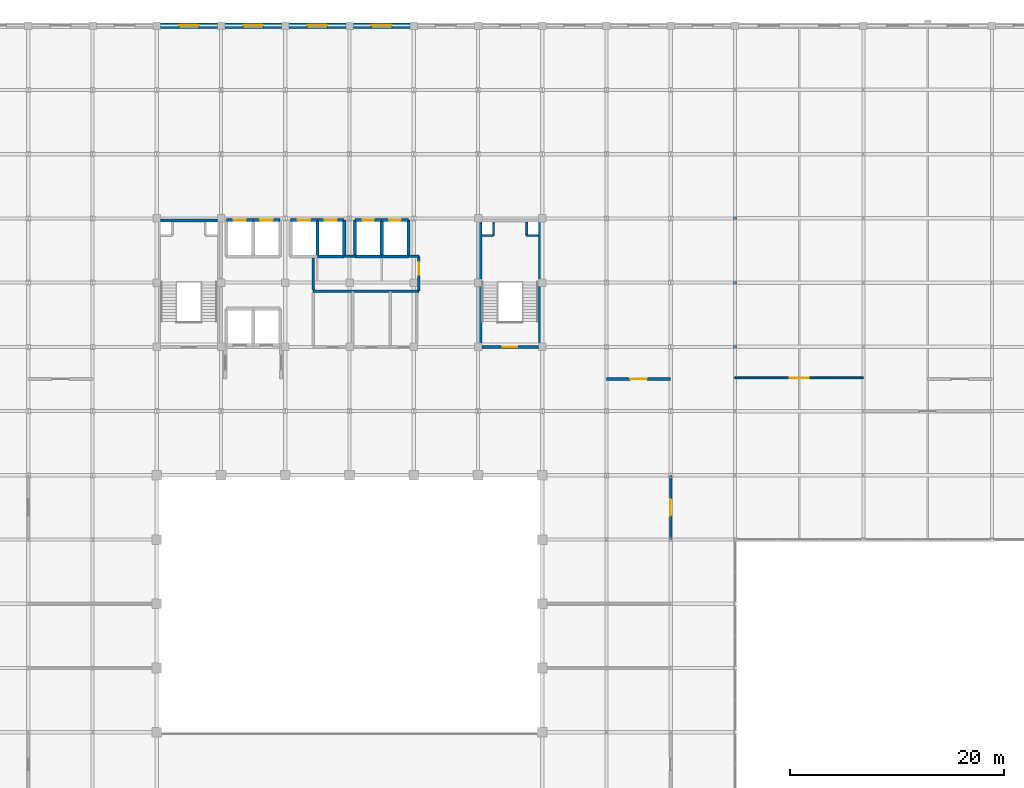
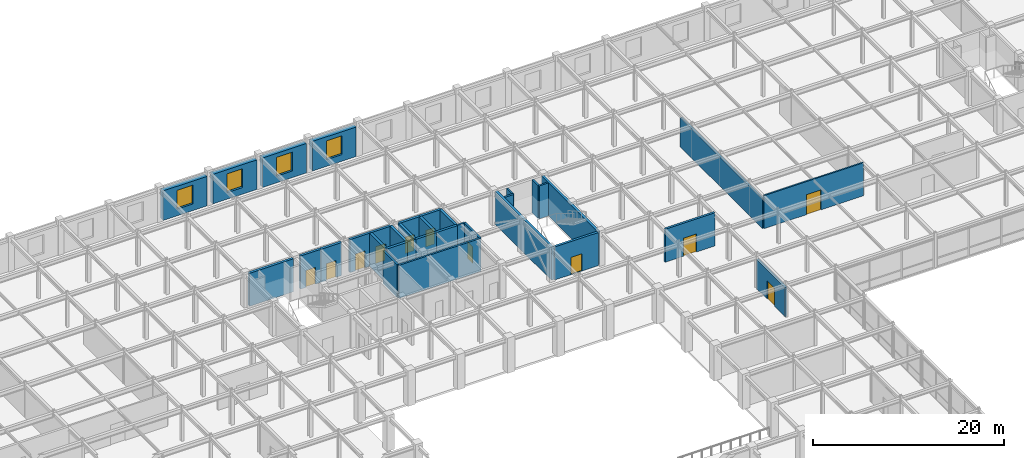
# One storey, part 102 of 108: 35 walls, 11 doors, 4 windows, 15 openings.
"""IFC4 building model written with IfcOpenShell, lengths in metres."""

from ifc_helpers import new_model, si_unit, direction, frame, frame_2d, origin, place, context, subcontext, project, spatial, rectangle, extrude, material, layer, layer_set, type_object, element, fill, save


model = new_model("IFC4")

# Units and contexts
model_context = context("Model", 3, precision=1e-05, world=origin(), true_north=direction((0.0, 1.0)))
body_context = subcontext(model_context, "Body", "Model", "MODEL_VIEW")
ifc_project = project(units=[si_unit("LENGTHUNIT", "METRE"), si_unit("AREAUNIT", "SQUARE_METRE"), si_unit("VOLUMEUNIT", "CUBIC_METRE"), si_unit("PLANEANGLEUNIT", "RADIAN"), si_unit("MASSUNIT", "GRAM", prefix="KILO")], contexts=[model_context])

# Site, building, storey
site_placement = place(None, origin())
site = spatial("IfcSite", under=ifc_project, at=site_placement, CompositionType="ELEMENT")
building_placement = place(site_placement, origin())
building = spatial("IfcBuilding", under=site, at=building_placement, Name="Zlatovratsky Civic Hall", CompositionType="ELEMENT")
storey_placement = place(building_placement, frame((0.0, 0.0, 12.0)))
storey = spatial("IfcBuildingStorey", under=building, at=storey_placement, Name="L03", CompositionType="ELEMENT", Elevation=12.0)

# Wall, opening, door
ifc_material_1 = material(Name="Acoustic ceramic blockwork", Category="masonry")
ifc_layer_1 = layer(ifc_material_1, 0.179931640625)
ifc_layer_set_1 = layer_set([ifc_layer_1], Name="Acoustic ceramic blockwork")
wall_type_1 = type_object("IfcWallType", Name="Wall_AcousticChamberPartition_180", PredefinedType="PARTITIONING", material=ifc_layer_set_1)
wall_1_placement = place(storey_placement, frame((120.0, 81.10009765625, 0.0), z_axis=(0.0, 0.0, 1.0), x_axis=(1.0, 0.0, 0.0)))
wall_1 = element("IfcWall", 1, at=wall_1_placement, inside=storey, type_object=wall_type_1, Name="WL-6178", PredefinedType="PARTITIONING", context=body_context, shape_type="SweptSolid", body=[
    extrude(rectangle(XDim=12.0, YDim=0.179931640625, at=frame_2d((6.0, 0.0))), origin(), (0.0, 0.0, 1.0), 4.219970703125),
])
opening_1_placement = place(wall_1_placement, frame((5.125, 0.0, 0.0)))
opening_1 = element("IfcOpeningElement", 2, at=opening_1_placement, cuts=wall_1, Name="Opening D-13", PredefinedType="OPENING", context=body_context, shape_type="SweptSolid", body=[
    extrude(rectangle(XDim=1.75, YDim=2.550048828125, at=frame_2d((0.875, 1.27490234375))), frame((0.0, 0.10498046875, 0.0), z_axis=(0.0, -1.0, 0.0), x_axis=(1.0, 0.0, 0.0)), (0.0, 0.0, 1.0), 0.209716796875),
])
ifc_material_2 = material(Name="Solid oak joinery in steel frame", Category="steel")
door_type_1 = type_object("IfcDoorType", Name="Door_CommitteeSuiteDouble_1750x2550", OperationType="DOUBLE_DOOR_SINGLE_SWING", PredefinedType="DOOR", material=ifc_material_2)
door_1_placement = place(opening_1_placement, origin())
door_1 = element("IfcDoor", 3, at=door_1_placement, inside=storey, type_object=door_type_1, Name="DR-5299", OperationType="DOUBLE_DOOR_SINGLE_SWING", OverallHeight=2.550048828125, OverallWidth=1.75, PredefinedType="DOOR", context=body_context, shape_type="SweptSolid", body=[
    extrude(rectangle(XDim=1.75, YDim=2.550048828125, at=frame_2d((0.875, 1.27490234375))), frame((0.0, 0.02490234375, 0.0), z_axis=(0.0, -1.0, 0.0), x_axis=(1.0, 0.0, 0.0)), (0.0, 0.0, 1.0), 0.050048828125),
])
fill(opening_1, door_1)

ifc_layer_2 = layer(ifc_material_1, 0.260009765625)
ifc_layer_set_2 = layer_set([ifc_layer_2], Name="Acoustic ceramic blockwork")
wall_type_2 = type_object("IfcWallType", Name="Wall_ArchiveCompartment_260", PredefinedType="PARTITIONING", material=ifc_layer_set_2)
wall_2_placement = place(storey_placement, frame((108.0, 81.0, 0.0), z_axis=(0.0, 0.0, 1.0), x_axis=(1.0, 0.0, 0.0)))
wall_2 = element("IfcWall", 4, at=wall_2_placement, inside=storey, type_object=wall_type_2, Name="WL-6185", PredefinedType="PARTITIONING", context=body_context, shape_type="SweptSolid", body=[
    extrude(rectangle(XDim=6.0, YDim=0.260009765625, at=frame_2d((3.0, 0.0))), origin(), (0.0, 0.0, 1.0), 4.219970703125),
])
opening_2_placement = place(wall_2_placement, frame((2.22509765625, 0.0, 0.0)))
opening_2 = element("IfcOpeningElement", 5, at=opening_2_placement, cuts=wall_2, Name="Opening D-15", PredefinedType="OPENING", context=body_context, shape_type="SweptSolid", body=[
    extrude(rectangle(XDim=1.550048828125, YDim=2.300048828125, at=frame_2d((0.77490234375, 1.14990234375))), frame((0.0, 0.14501953125, 0.0), z_axis=(0.0, -1.0, 0.0), x_axis=(1.0, 0.0, 0.0)), (0.0, 0.0, 1.0), 0.289794921875),
])
ifc_material_3 = material(Name="Insulated painted fire-rated steel leaf", Category="steel")
door_type_2 = type_object("IfcDoorType", Name="Door_CompactArchiveFire_1550x2300", OperationType="DOUBLE_DOOR_SINGLE_SWING", PredefinedType="DOOR", material=ifc_material_3)
door_2_placement = place(opening_2_placement, origin())
door_2 = element("IfcDoor", 6, at=door_2_placement, inside=storey, type_object=door_type_2, Name="DR-5306", OperationType="DOUBLE_DOOR_SINGLE_SWING", OverallHeight=2.300048828125, OverallWidth=1.550048828125, PredefinedType="DOOR", context=body_context, shape_type="SweptSolid", body=[
    extrude(rectangle(XDim=1.550048828125, YDim=2.300048828125, at=frame_2d((0.77490234375, 1.14990234375))), frame((0.0, 0.02490234375, 0.0), z_axis=(0.0, -1.0, 0.0), x_axis=(1.0, 0.0, 0.0)), (0.0, 0.0, 1.0), 0.050048828125),
])
fill(opening_2, door_2)

wall_3_placement = place(storey_placement, frame((114.0, 66.0, 0.0), z_axis=(0.0, 0.0, 1.0), x_axis=(0.0, 1.0, 0.0)))
wall_3 = element("IfcWall", 7, at=wall_3_placement, inside=storey, type_object=wall_type_2, Name="WL-6190", PredefinedType="PARTITIONING", context=body_context, shape_type="SweptSolid", body=[
    extrude(rectangle(XDim=6.0, YDim=0.260009765625, at=frame_2d((3.0, 0.0))), origin(), (0.0, 0.0, 1.0), 3.738037109375),
])
opening_3_placement = place(wall_3_placement, frame((2.22509765625, 0.0, 0.0)))
opening_3 = element("IfcOpeningElement", 8, at=opening_3_placement, cuts=wall_3, Name="Opening D-15", PredefinedType="OPENING", context=body_context, shape_type="SweptSolid", body=[
    extrude(rectangle(XDim=1.550048828125, YDim=2.300048828125, at=frame_2d((0.77490234375, 1.14990234375))), frame((0.0, 0.14501953125, 0.0), z_axis=(0.0, -1.0, 0.0), x_axis=(1.0, 0.0, 0.0)), (0.0, 0.0, 1.0), 0.289794921875),
])
door_3_placement = place(opening_3_placement, origin())
door_3 = element("IfcDoor", 9, at=door_3_placement, inside=storey, type_object=door_type_2, Name="DR-5311", OperationType="DOUBLE_DOOR_SINGLE_SWING", OverallHeight=2.300048828125, OverallWidth=1.550048828125, PredefinedType="DOOR", context=body_context, shape_type="SweptSolid", body=[
    extrude(rectangle(XDim=1.550048828125, YDim=2.300048828125, at=frame_2d((0.77490234375, 1.14990234375))), frame((0.0, 0.02490234375, 0.0), z_axis=(0.0, -1.0, 0.0), x_axis=(1.0, 0.0, 0.0)), (0.0, 0.0, 1.0), 0.050048828125),
])
fill(opening_3, door_3)

# Wall
wall_4_placement = place(storey_placement, frame((120.0, 81.14990234375, 0.0), z_axis=(0.0, 0.0, 1.0), x_axis=(0.0, 1.0, 0.0)))
element("IfcWall", 10, at=wall_4_placement, inside=storey, type_object=wall_type_2, Name="WL-6195", PredefinedType="PARTITIONING", context=body_context, shape_type="SweptSolid", body=[
    extrude(rectangle(XDim=17.2001953125, YDim=0.260009765625, at=frame_2d((8.60009765625, 0.0))), origin(), (0.0, 0.0, 1.0), 3.738037109375),
])

# Wall, opening, window
ifc_layer_3 = layer(ifc_material_1, 0.39990234375, Name="Backing")
ifc_material_4 = material(Name="Polished Karelian granite ashlar", Category="masonry")
ifc_layer_4 = layer(ifc_material_4, 0.139892578125, Name="Finish")
ifc_layer_set_3 = layer_set([ifc_layer_3, ifc_layer_4], Name="Acoustic ceramic blockwork")
wall_type_3 = type_object("IfcWallType", Name="Wall_PodiumGraniteArcade_540", PredefinedType="SOLIDWALL", material=ifc_layer_set_3)
wall_5_placement = place(storey_placement, frame((66.35009765625, 114.0, 0.0), z_axis=(0.0, 0.0, 1.0), x_axis=(1.0, 0.0, 0.0)))
wall_5 = element("IfcWall", 11, at=wall_5_placement, inside=storey, type_object=wall_type_3, Name="WL-0267", PredefinedType="SOLIDWALL", context=body_context, shape_type="SweptSolid", body=[
    extrude(rectangle(XDim=5.2998046875, YDim=0.5400390625, at=frame_2d((2.64990234375, 0.0))), origin(), (0.0, 0.0, 1.0), 3.77001953125),
])
opening_4_placement = place(wall_5_placement, frame((1.699951171875, 0.0, 0.85009765625)))
opening_4 = element("IfcOpeningElement", 12, at=opening_4_placement, cuts=wall_5, Name="Opening WN-08", PredefinedType="OPENING", context=body_context, shape_type="SweptSolid", body=[
    extrude(rectangle(XDim=1.89990234375, YDim=2.39990234375, at=frame_2d((0.949951171875, 1.199951171875))), frame((0.0, 0.284912109375, 0.0), z_axis=(0.0, -1.0, 0.0), x_axis=(1.0, 0.0, 0.0)), (0.0, 0.0, 1.0), 0.56982421875),
])
ifc_material_5 = material(Name="Low-E laminated double glazing", Category="glass")
window_type = type_object("IfcWindowType", Name="Window_CommitteeWingL03_1900x2400", PartitioningType="SINGLE_PANEL", PredefinedType="WINDOW", material=ifc_material_5)
window_1_placement = place(opening_4_placement, origin())
window_1 = element("IfcWindow", 13, at=window_1_placement, inside=storey, type_object=window_type, Name="WN-0199", OverallHeight=2.39990234375, OverallWidth=1.89990234375, PartitioningType="SINGLE_PANEL", PredefinedType="WINDOW", context=body_context, shape_type="SweptSolid", body=[
    extrude(rectangle(XDim=1.89990234375, YDim=2.39990234375, at=frame_2d((0.949951171875, 1.199951171875))), frame((0.0, 0.030029296875, 0.0), z_axis=(0.0, -1.0, 0.0), x_axis=(1.0, 0.0, 0.0)), (0.0, 0.0, 1.0), 0.06005859375),
])
fill(opening_4, window_1)

wall_6_placement = place(storey_placement, frame((72.35009765625, 114.0, 0.0), z_axis=(0.0, 0.0, 1.0), x_axis=(1.0, 0.0, 0.0)))
wall_6 = element("IfcWall", 14, at=wall_6_placement, inside=storey, type_object=wall_type_3, Name="WL-0268", PredefinedType="SOLIDWALL", context=body_context, shape_type="SweptSolid", body=[
    extrude(rectangle(XDim=5.2998046875, YDim=0.5400390625, at=frame_2d((2.64990234375, 0.0))), origin(), (0.0, 0.0, 1.0), 3.77001953125),
])
opening_5_placement = place(wall_6_placement, frame((1.699951171875, 0.0, 0.85009765625)))
opening_5 = element("IfcOpeningElement", 15, at=opening_5_placement, cuts=wall_6, Name="Opening WN-08", PredefinedType="OPENING", context=body_context, shape_type="SweptSolid", body=[
    extrude(rectangle(XDim=1.89990234375, YDim=2.39990234375, at=frame_2d((0.949951171875, 1.199951171875))), frame((0.0, 0.284912109375, 0.0), z_axis=(0.0, -1.0, 0.0), x_axis=(1.0, 0.0, 0.0)), (0.0, 0.0, 1.0), 0.56982421875),
])
window_2_placement = place(opening_5_placement, origin())
window_2 = element("IfcWindow", 16, at=window_2_placement, inside=storey, type_object=window_type, Name="WN-0200", OverallHeight=2.39990234375, OverallWidth=1.89990234375, PartitioningType="SINGLE_PANEL", PredefinedType="WINDOW", context=body_context, shape_type="SweptSolid", body=[
    extrude(rectangle(XDim=1.89990234375, YDim=2.39990234375, at=frame_2d((0.949951171875, 1.199951171875))), frame((0.0, 0.030029296875, 0.0), z_axis=(0.0, -1.0, 0.0), x_axis=(1.0, 0.0, 0.0)), (0.0, 0.0, 1.0), 0.06005859375),
])
fill(opening_5, window_2)

wall_7_placement = place(storey_placement, frame((78.35009765625, 114.0, 0.0), z_axis=(0.0, 0.0, 1.0), x_axis=(1.0, 0.0, 0.0)))
wall_7 = element("IfcWall", 17, at=wall_7_placement, inside=storey, type_object=wall_type_3, Name="WL-0269", PredefinedType="SOLIDWALL", context=body_context, shape_type="SweptSolid", body=[
    extrude(rectangle(XDim=5.2998046875, YDim=0.5400390625, at=frame_2d((2.64990234375, 0.0))), origin(), (0.0, 0.0, 1.0), 3.77001953125),
])
opening_6_placement = place(wall_7_placement, frame((1.699951171875, 0.0, 0.85009765625)))
opening_6 = element("IfcOpeningElement", 18, at=opening_6_placement, cuts=wall_7, Name="Opening WN-08", PredefinedType="OPENING", context=body_context, shape_type="SweptSolid", body=[
    extrude(rectangle(XDim=1.89990234375, YDim=2.39990234375, at=frame_2d((0.949951171875, 1.199951171875))), frame((0.0, 0.284912109375, 0.0), z_axis=(0.0, -1.0, 0.0), x_axis=(1.0, 0.0, 0.0)), (0.0, 0.0, 1.0), 0.56982421875),
])
window_3_placement = place(opening_6_placement, origin())
window_3 = element("IfcWindow", 19, at=window_3_placement, inside=storey, type_object=window_type, Name="WN-0201", OverallHeight=2.39990234375, OverallWidth=1.89990234375, PartitioningType="SINGLE_PANEL", PredefinedType="WINDOW", context=body_context, shape_type="SweptSolid", body=[
    extrude(rectangle(XDim=1.89990234375, YDim=2.39990234375, at=frame_2d((0.949951171875, 1.199951171875))), frame((0.0, 0.030029296875, 0.0), z_axis=(0.0, -1.0, 0.0), x_axis=(1.0, 0.0, 0.0)), (0.0, 0.0, 1.0), 0.06005859375),
])
fill(opening_6, window_3)

wall_8_placement = place(storey_placement, frame((84.35009765625, 114.0, 0.0), z_axis=(0.0, 0.0, 1.0), x_axis=(1.0, 0.0, 0.0)))
wall_8 = element("IfcWall", 20, at=wall_8_placement, inside=storey, type_object=wall_type_3, Name="WL-0270", PredefinedType="SOLIDWALL", context=body_context, shape_type="SweptSolid", body=[
    extrude(rectangle(XDim=5.2998046875, YDim=0.5400390625, at=frame_2d((2.64990234375, 0.0))), origin(), (0.0, 0.0, 1.0), 3.77001953125),
])
opening_7_placement = place(wall_8_placement, frame((1.699951171875, 0.0, 0.85009765625)))
opening_7 = element("IfcOpeningElement", 21, at=opening_7_placement, cuts=wall_8, Name="Opening WN-08", PredefinedType="OPENING", context=body_context, shape_type="SweptSolid", body=[
    extrude(rectangle(XDim=1.89990234375, YDim=2.39990234375, at=frame_2d((0.949951171875, 1.199951171875))), frame((0.0, 0.284912109375, 0.0), z_axis=(0.0, -1.0, 0.0), x_axis=(1.0, 0.0, 0.0)), (0.0, 0.0, 1.0), 0.56982421875),
])
window_4_placement = place(opening_7_placement, origin())
window_4 = element("IfcWindow", 22, at=window_4_placement, inside=storey, type_object=window_type, Name="WN-0202", OverallHeight=2.39990234375, OverallWidth=1.89990234375, PartitioningType="SINGLE_PANEL", PredefinedType="WINDOW", context=body_context, shape_type="SweptSolid", body=[
    extrude(rectangle(XDim=1.89990234375, YDim=2.39990234375, at=frame_2d((0.949951171875, 1.199951171875))), frame((0.0, 0.030029296875, 0.0), z_axis=(0.0, -1.0, 0.0), x_axis=(1.0, 0.0, 0.0)), (0.0, 0.0, 1.0), 0.06005859375),
])
fill(opening_7, window_4)

# Walls
ifc_layer_5 = layer(ifc_material_1, 0.219970703125)
ifc_layer_set_4 = layer_set([ifc_layer_5], Name="Acoustic ceramic blockwork")
wall_type_4 = type_object("IfcWallType", Name="Wall_SanitaryWetCore_220", PredefinedType="PARTITIONING", material=ifc_layer_set_4)
wall_9_placement = place(storey_placement, frame((97.449951171875, 94.39990234375, 0.0), z_axis=(0.0, 0.0, 1.0), x_axis=(0.0, 1.0, 0.0)))
element("IfcWall", 23, at=wall_9_placement, inside=storey, type_object=wall_type_4, Name="WL-5187", PredefinedType="PARTITIONING", context=body_context, shape_type="SweptSolid", body=[
    extrude(rectangle(XDim=1.25, YDim=0.219970703125, at=frame_2d((0.625, 0.0))), origin(), (0.0, 0.0, 1.0), 4.219970703125),
])
wall_10_placement = place(storey_placement, frame((96.35009765625, 94.39990234375, 0.0), z_axis=(0.0, 0.0, 1.0), x_axis=(1.0, 0.0, 0.0)))
element("IfcWall", 24, at=wall_10_placement, inside=storey, type_object=wall_type_4, Name="WL-5188", PredefinedType="PARTITIONING", context=body_context, shape_type="SweptSolid", body=[
    extrude(rectangle(XDim=1.099853515625, YDim=0.219970703125, at=frame_2d((0.5498046875, 0.0))), origin(), (0.0, 0.0, 1.0), 4.219970703125),
])
wall_11_placement = place(storey_placement, frame((100.550048828125, 94.39990234375, 0.0), z_axis=(0.0, 0.0, 1.0), x_axis=(0.0, 1.0, 0.0)))
element("IfcWall", 25, at=wall_11_placement, inside=storey, type_object=wall_type_4, Name="WL-5189", PredefinedType="PARTITIONING", context=body_context, shape_type="SweptSolid", body=[
    extrude(rectangle(XDim=1.25, YDim=0.219970703125, at=frame_2d((0.625, 0.0))), origin(), (0.0, 0.0, 1.0), 4.219970703125),
])
wall_12_placement = place(storey_placement, frame((100.550048828125, 94.39990234375, 0.0), z_axis=(0.0, 0.0, 1.0), x_axis=(1.0, 0.0, 0.0)))
element("IfcWall", 26, at=wall_12_placement, inside=storey, type_object=wall_type_4, Name="WL-5190", PredefinedType="PARTITIONING", context=body_context, shape_type="SweptSolid", body=[
    extrude(rectangle(XDim=1.099853515625, YDim=0.219970703125, at=frame_2d((0.5498046875, 0.0))), origin(), (0.0, 0.0, 1.0), 4.219970703125),
])
wall_13_placement = place(storey_placement, frame((80.60009765625, 89.199951171875, 0.0), z_axis=(0.0, 0.0, 1.0), x_axis=(1.0, 0.0, 0.0)))
element("IfcWall", 27, at=wall_13_placement, inside=storey, type_object=wall_type_4, Name="WL-6167", PredefinedType="PARTITIONING", context=body_context, shape_type="SweptSolid", body=[
    extrude(rectangle(XDim=9.869873046875, YDim=0.219970703125, at=frame_2d((4.93505859375, 0.0))), origin(), (0.0, 0.0, 1.0), 4.219970703125),
])

# Wall, opening, door
wall_14_placement = place(storey_placement, frame((90.469970703125, 89.199951171875, 0.0), z_axis=(0.0, 0.0, 1.0), x_axis=(0.0, 1.0, 0.0)))
wall_14 = element("IfcWall", 28, at=wall_14_placement, inside=storey, type_object=wall_type_4, Name="WL-6168", PredefinedType="PARTITIONING", context=body_context, shape_type="SweptSolid", body=[
    extrude(rectangle(XDim=3.25, YDim=0.219970703125, at=frame_2d((1.625, 0.0))), origin(), (0.0, 0.0, 1.0), 4.219970703125),
])
opening_8_placement = place(wall_14_placement, frame((1.550048828125, 0.0, 0.0)))
opening_8 = element("IfcOpeningElement", 29, at=opening_8_placement, cuts=wall_14, Name="Opening D-30", PredefinedType="OPENING", context=body_context, shape_type="SweptSolid", body=[
    extrude(rectangle(XDim=1.10009765625, YDim=2.14990234375, at=frame_2d((0.550048828125, 1.074951171875))), frame((0.0, 0.125, 0.0), z_axis=(0.0, -1.0, 0.0), x_axis=(1.0, 0.0, 0.0)), (0.0, 0.0, 1.0), 0.249755859375),
])
door_type_3 = type_object("IfcDoorType", Name="Door_ElectricalRoom_1100x2150", OperationType="NOTDEFINED", PredefinedType="DOOR", material=ifc_material_3)
door_4_placement = place(opening_8_placement, origin())
door_4 = element("IfcDoor", 30, at=door_4_placement, inside=storey, type_object=door_type_3, Name="DR-5289", OperationType="SINGLE_SWING_RIGHT", OverallHeight=2.14990234375, OverallWidth=1.10009765625, PredefinedType="DOOR", context=body_context, shape_type="SweptSolid", body=[
    extrude(rectangle(XDim=1.10009765625, YDim=2.14990234375, at=frame_2d((0.550048828125, 1.074951171875))), frame((0.0, 0.02490234375, 0.0), z_axis=(0.0, -1.0, 0.0), x_axis=(1.0, 0.0, 0.0)), (0.0, 0.0, 1.0), 0.050048828125),
])
fill(opening_8, door_4)

# Walls
wall_15_placement = place(storey_placement, frame((80.60009765625, 89.31005859375, 0.0), z_axis=(0.0, 0.0, 1.0), x_axis=(0.0, 1.0, 0.0)))
element("IfcWall", 31, at=wall_15_placement, inside=storey, type_object=wall_type_4, Name="WL-6207", PredefinedType="PARTITIONING", context=body_context, shape_type="SweptSolid", body=[
    extrude(rectangle(XDim=2.989990234375, YDim=0.219970703125, at=frame_2d((1.4951171875, 0.0))), origin(), (0.0, 0.0, 1.0), 4.219970703125),
])
wall_16_placement = place(storey_placement, frame((83.5, 92.449951171875, 0.0), z_axis=(0.0, 0.0, 1.0), x_axis=(1.0, 0.0, 0.0)))
element("IfcWall", 32, at=wall_16_placement, inside=storey, type_object=wall_type_4, Name="WL-6208", PredefinedType="PARTITIONING", context=body_context, shape_type="SweptSolid", body=[
    extrude(rectangle(XDim=1.0, YDim=0.219970703125, at=frame_2d((0.5, 0.0))), origin(), (0.0, 0.0, 1.0), 4.219970703125),
])
wall_17_placement = place(storey_placement, frame((89.5, 92.449951171875, 0.0), z_axis=(0.0, 0.0, 1.0), x_axis=(1.0, 0.0, 0.0)))
element("IfcWall", 33, at=wall_17_placement, inside=storey, type_object=wall_type_4, Name="WL-6209", PredefinedType="PARTITIONING", context=body_context, shape_type="SweptSolid", body=[
    extrude(rectangle(XDim=0.969970703125, YDim=0.219970703125, at=frame_2d((0.48486328125, 0.0))), origin(), (0.0, 0.0, 1.0), 4.219970703125),
])
ifc_material_6 = material(Name="Concrete C35/45 (B40)", Category="concrete")
ifc_layer_6 = layer(ifc_material_6, 0.300048828125)
ifc_layer_set_5 = layer_set([ifc_layer_6], Name="Concrete C35/45 (B40)")
wall_type_5 = type_object("IfcWallType", Name="Wall_StairAndLiftShaft_300", PredefinedType="SHEAR", material=ifc_layer_set_5)
wall_18_placement = place(storey_placement, frame((66.35009765625, 95.800048828125, 0.0), z_axis=(0.0, 0.0, 1.0), x_axis=(1.0, 0.0, 0.0)))
element("IfcWall", 34, at=wall_18_placement, inside=storey, type_object=wall_type_5, Name="WL-5026", PredefinedType="SHEAR", context=body_context, shape_type="SweptSolid", body=[
    extrude(rectangle(XDim=5.2998046875, YDim=0.300048828125, at=frame_2d((2.64990234375, 0.0))), origin(), (0.0, 0.0, 1.0), 4.219970703125),
])

# Wall, opening, door
wall_19_placement = place(storey_placement, frame((96.35009765625, 84.0, 0.0), z_axis=(0.0, 0.0, 1.0), x_axis=(1.0, 0.0, 0.0)))
wall_19 = element("IfcWall", 35, at=wall_19_placement, inside=storey, type_object=wall_type_5, Name="WL-5183", PredefinedType="SHEAR", context=body_context, shape_type="SweptSolid", body=[
    extrude(rectangle(XDim=5.2998046875, YDim=0.300048828125, at=frame_2d((2.64990234375, 0.0))), origin(), (0.0, 0.0, 1.0), 4.219970703125),
])
opening_9_placement = place(wall_19_placement, frame((1.97509765625, 0.0, 0.0)))
opening_9 = element("IfcOpeningElement", 36, at=opening_9_placement, cuts=wall_19, Name="Opening D-17", PredefinedType="OPENING", context=body_context, shape_type="SweptSolid", body=[
    extrude(rectangle(XDim=1.35009765625, YDim=2.199951171875, at=frame_2d((0.675048828125, 1.10009765625))), frame((0.0, 0.1650390625, 0.0), z_axis=(0.0, -1.0, 0.0), x_axis=(1.0, 0.0, 0.0)), (0.0, 0.0, 1.0), 0.329833984375),
])
door_type_4 = type_object("IfcDoorType", Name="Door_StairwellFireTower_1350x2200", OperationType="NOTDEFINED", PredefinedType="DOOR", material=ifc_material_3)
door_5_placement = place(opening_9_placement, origin())
door_5 = element("IfcDoor", 37, at=door_5_placement, inside=storey, type_object=door_type_4, Name="DR-5023", OperationType="SINGLE_SWING_LEFT", OverallHeight=2.199951171875, OverallWidth=1.35009765625, PredefinedType="DOOR", context=body_context, shape_type="SweptSolid", body=[
    extrude(rectangle(XDim=1.35009765625, YDim=2.199951171875, at=frame_2d((0.675048828125, 1.10009765625))), frame((0.0, 0.02490234375, 0.0), z_axis=(0.0, -1.0, 0.0), x_axis=(1.0, 0.0, 0.0)), (0.0, 0.0, 1.0), 0.050048828125),
])
fill(opening_9, door_5)

# Walls
for number, where, z_axis, x_axis, name in (
    (38, (96.199951171875, 84.0, 0.0), (0.0, 0.0, 1.0), (0.0, 1.0, 0.0), "WL-5185"),
    (39, (101.800048828125, 84.0, 0.0), (0.0, 0.0, 1.0), (0.0, 1.0, 0.0), "WL-5186"),
):
    element("IfcWall", number, at=place(storey_placement, frame(where, z_axis=z_axis, x_axis=x_axis)), inside=storey, type_object=wall_type_5, Name=name, PredefinedType="SHEAR", context=body_context, shape_type="SweptSolid", body=[
        extrude(rectangle(XDim=11.800048828125, YDim=0.300048828125, at=frame_2d((5.89990234375, 0.0))), origin(), (0.0, 0.0, 1.0), 4.219970703125),
    ])

# Wall, opening, door
wall_20_placement = place(storey_placement, frame((72.5, 95.85009765625, 0.0), z_axis=(0.0, 0.0, 1.0), x_axis=(1.0, 0.0, 0.0)))
wall_20 = element("IfcWall", 40, at=wall_20_placement, inside=storey, type_object=wall_type_5, Name="WL-5635", PredefinedType="SHEAR", context=body_context, shape_type="SweptSolid", body=[
    extrude(rectangle(XDim=2.5, YDim=0.300048828125, at=frame_2d((1.25, 0.0))), origin(), (0.0, 0.0, 1.0), 4.219970703125),
])
opening_10_placement = place(wall_20_placement, frame((0.675048828125, 0.0, 0.0)))
opening_10 = element("IfcOpeningElement", 41, at=opening_10_placement, cuts=wall_20, Name="Opening LD-02", PredefinedType="OPENING", context=body_context, shape_type="SweptSolid", body=[
    extrude(rectangle(XDim=1.14990234375, YDim=2.14990234375, at=frame_2d((0.574951171875, 1.074951171875))), frame((0.0, 0.1650390625, 0.0), z_axis=(0.0, -1.0, 0.0), x_axis=(1.0, 0.0, 0.0)), (0.0, 0.0, 1.0), 0.329833984375),
])
ifc_material_7 = material(Name="Brushed stainless steel AISI 304", Category="steel")
door_type_5 = type_object("IfcDoorType", Name="Door_LiftLandingHighRise_1150x2150", OperationType="DOUBLE_DOOR_SLIDING", PredefinedType="DOOR", material=ifc_material_7)
door_6_placement = place(opening_10_placement, origin())
door_6 = element("IfcDoor", 42, at=door_6_placement, inside=storey, type_object=door_type_5, Name="Lift landing door LD-5100", OperationType="DOUBLE_DOOR_SLIDING", OverallHeight=2.14990234375, OverallWidth=1.14990234375, PredefinedType="DOOR", context=body_context, shape_type="SweptSolid", body=[
    extrude(rectangle(XDim=1.14990234375, YDim=2.14990234375, at=frame_2d((0.574951171875, 1.074951171875))), frame((0.0, 0.02490234375, 0.0), z_axis=(0.0, -1.0, 0.0), x_axis=(1.0, 0.0, 0.0)), (0.0, 0.0, 1.0), 0.050048828125),
])
fill(opening_10, door_6)

wall_21_placement = place(storey_placement, frame((75.0, 95.85009765625, 0.0), z_axis=(0.0, 0.0, 1.0), x_axis=(1.0, 0.0, 0.0)))
wall_21 = element("IfcWall", 43, at=wall_21_placement, inside=storey, type_object=wall_type_5, Name="WL-5695", PredefinedType="SHEAR", context=body_context, shape_type="SweptSolid", body=[
    extrude(rectangle(XDim=2.5, YDim=0.300048828125, at=frame_2d((1.25, 0.0))), origin(), (0.0, 0.0, 1.0), 4.219970703125),
])
opening_11_placement = place(wall_21_placement, frame((0.675048828125, 0.0, 0.0)))
opening_11 = element("IfcOpeningElement", 44, at=opening_11_placement, cuts=wall_21, Name="Opening LD-02", PredefinedType="OPENING", context=body_context, shape_type="SweptSolid", body=[
    extrude(rectangle(XDim=1.14990234375, YDim=2.14990234375, at=frame_2d((0.574951171875, 1.074951171875))), frame((0.0, 0.1650390625, 0.0), z_axis=(0.0, -1.0, 0.0), x_axis=(1.0, 0.0, 0.0)), (0.0, 0.0, 1.0), 0.329833984375),
])
door_7_placement = place(opening_11_placement, origin())
door_7 = element("IfcDoor", 45, at=door_7_placement, inside=storey, type_object=door_type_5, Name="Lift landing door LD-5119", OperationType="DOUBLE_DOOR_SLIDING", OverallHeight=2.14990234375, OverallWidth=1.14990234375, PredefinedType="DOOR", context=body_context, shape_type="SweptSolid", body=[
    extrude(rectangle(XDim=1.14990234375, YDim=2.14990234375, at=frame_2d((0.574951171875, 1.074951171875))), frame((0.0, 0.02490234375, 0.0), z_axis=(0.0, -1.0, 0.0), x_axis=(1.0, 0.0, 0.0)), (0.0, 0.0, 1.0), 0.050048828125),
])
fill(opening_11, door_7)

wall_22_placement = place(storey_placement, frame((78.5, 95.85009765625, 0.0), z_axis=(0.0, 0.0, 1.0), x_axis=(1.0, 0.0, 0.0)))
wall_22 = element("IfcWall", 46, at=wall_22_placement, inside=storey, type_object=wall_type_5, Name="WL-5768", PredefinedType="SHEAR", context=body_context, shape_type="SweptSolid", body=[
    extrude(rectangle(XDim=2.5, YDim=0.300048828125, at=frame_2d((1.25, 0.0))), origin(), (0.0, 0.0, 1.0), 4.219970703125),
])
opening_12_placement = place(wall_22_placement, frame((0.675048828125, 0.0, 0.0)))
opening_12 = element("IfcOpeningElement", 47, at=opening_12_placement, cuts=wall_22, Name="Opening LD-02", PredefinedType="OPENING", context=body_context, shape_type="SweptSolid", body=[
    extrude(rectangle(XDim=1.14990234375, YDim=2.14990234375, at=frame_2d((0.574951171875, 1.074951171875))), frame((0.0, 0.1650390625, 0.0), z_axis=(0.0, -1.0, 0.0), x_axis=(1.0, 0.0, 0.0)), (0.0, 0.0, 1.0), 0.329833984375),
])
door_8_placement = place(opening_12_placement, origin())
door_8 = element("IfcDoor", 48, at=door_8_placement, inside=storey, type_object=door_type_5, Name="Lift landing door LD-5138", OperationType="DOUBLE_DOOR_SLIDING", OverallHeight=2.14990234375, OverallWidth=1.14990234375, PredefinedType="DOOR", context=body_context, shape_type="SweptSolid", body=[
    extrude(rectangle(XDim=1.14990234375, YDim=2.14990234375, at=frame_2d((0.574951171875, 1.074951171875))), frame((0.0, 0.02490234375, 0.0), z_axis=(0.0, -1.0, 0.0), x_axis=(1.0, 0.0, 0.0)), (0.0, 0.0, 1.0), 0.050048828125),
])
fill(opening_12, door_8)

wall_23_placement = place(storey_placement, frame((81.0, 95.85009765625, 0.0), z_axis=(0.0, 0.0, 1.0), x_axis=(1.0, 0.0, 0.0)))
wall_23 = element("IfcWall", 49, at=wall_23_placement, inside=storey, type_object=wall_type_5, Name="WL-5828", PredefinedType="SHEAR", context=body_context, shape_type="SweptSolid", body=[
    extrude(rectangle(XDim=2.5, YDim=0.300048828125, at=frame_2d((1.25, 0.0))), origin(), (0.0, 0.0, 1.0), 4.219970703125),
])
opening_13_placement = place(wall_23_placement, frame((0.675048828125, 0.0, 0.0)))
opening_13 = element("IfcOpeningElement", 50, at=opening_13_placement, cuts=wall_23, Name="Opening LD-02", PredefinedType="OPENING", context=body_context, shape_type="SweptSolid", body=[
    extrude(rectangle(XDim=1.14990234375, YDim=2.14990234375, at=frame_2d((0.574951171875, 1.074951171875))), frame((0.0, 0.1650390625, 0.0), z_axis=(0.0, -1.0, 0.0), x_axis=(1.0, 0.0, 0.0)), (0.0, 0.0, 1.0), 0.329833984375),
])
door_9_placement = place(opening_13_placement, origin())
door_9 = element("IfcDoor", 51, at=door_9_placement, inside=storey, type_object=door_type_5, Name="Lift landing door LD-5157", OperationType="DOUBLE_DOOR_SLIDING", OverallHeight=2.14990234375, OverallWidth=1.14990234375, PredefinedType="DOOR", context=body_context, shape_type="SweptSolid", body=[
    extrude(rectangle(XDim=1.14990234375, YDim=2.14990234375, at=frame_2d((0.574951171875, 1.074951171875))), frame((0.0, 0.02490234375, 0.0), z_axis=(0.0, -1.0, 0.0), x_axis=(1.0, 0.0, 0.0)), (0.0, 0.0, 1.0), 0.050048828125),
])
fill(opening_13, door_9)

# Walls
wall_24_placement = place(storey_placement, frame((81.0, 92.449951171875, 0.0), z_axis=(0.0, 0.0, 1.0), x_axis=(1.0, 0.0, 0.0)))
element("IfcWall", 52, at=wall_24_placement, inside=storey, type_object=wall_type_5, Name="WL-5829", PredefinedType="SHEAR", context=body_context, shape_type="SweptSolid", body=[
    extrude(rectangle(XDim=2.5, YDim=0.300048828125, at=frame_2d((1.25, 0.0))), origin(), (0.0, 0.0, 1.0), 4.219970703125),
])
for number, where, z_axis, x_axis, name in (
    (53, (81.0, 92.449951171875, 0.0), (0.0, 0.0, 1.0), (0.0, 1.0, 0.0), "WL-5830"),
    (54, (83.5, 92.449951171875, 0.0), (0.0, 0.0, 1.0), (0.0, 1.0, 0.0), "WL-5831"),
):
    element("IfcWall", number, at=place(storey_placement, frame(where, z_axis=z_axis, x_axis=x_axis)), inside=storey, type_object=wall_type_5, Name=name, PredefinedType="SHEAR", context=body_context, shape_type="SweptSolid", body=[
        extrude(rectangle(XDim=3.400146484375, YDim=0.300048828125, at=frame_2d((1.7001953125, 0.0))), origin(), (0.0, 0.0, 1.0), 4.219970703125),
    ])

# Wall, opening, door
wall_25_placement = place(storey_placement, frame((84.5, 95.85009765625, 0.0), z_axis=(0.0, 0.0, 1.0), x_axis=(1.0, 0.0, 0.0)))
wall_25 = element("IfcWall", 55, at=wall_25_placement, inside=storey, type_object=wall_type_5, Name="WL-5901", PredefinedType="SHEAR", context=body_context, shape_type="SweptSolid", body=[
    extrude(rectangle(XDim=2.5, YDim=0.300048828125, at=frame_2d((1.25, 0.0))), origin(), (0.0, 0.0, 1.0), 4.219970703125),
])
opening_14_placement = place(wall_25_placement, frame((0.72509765625, 0.0, 0.0)))
opening_14 = element("IfcOpeningElement", 56, at=opening_14_placement, cuts=wall_25, Name="Opening LD-03", PredefinedType="OPENING", context=body_context, shape_type="SweptSolid", body=[
    extrude(rectangle(XDim=1.050048828125, YDim=2.10009765625, at=frame_2d((0.52490234375, 1.050048828125))), frame((0.0, 0.1650390625, 0.0), z_axis=(0.0, -1.0, 0.0), x_axis=(1.0, 0.0, 0.0)), (0.0, 0.0, 1.0), 0.329833984375),
])
door_type_6 = type_object("IfcDoorType", Name="Door_LiftLandingMidRise_1050x2100", OperationType="DOUBLE_DOOR_SLIDING", PredefinedType="DOOR", material=ifc_material_7)
door_10_placement = place(opening_14_placement, origin())
door_10 = element("IfcDoor", 57, at=door_10_placement, inside=storey, type_object=door_type_6, Name="Lift landing door LD-5176", OperationType="DOUBLE_DOOR_SLIDING", OverallHeight=2.10009765625, OverallWidth=1.050048828125, PredefinedType="DOOR", context=body_context, shape_type="SweptSolid", body=[
    extrude(rectangle(XDim=1.050048828125, YDim=2.10009765625, at=frame_2d((0.52490234375, 1.050048828125))), frame((0.0, 0.02490234375, 0.0), z_axis=(0.0, -1.0, 0.0), x_axis=(1.0, 0.0, 0.0)), (0.0, 0.0, 1.0), 0.050048828125),
])
fill(opening_14, door_10)

# Walls
wall_26_placement = place(storey_placement, frame((84.5, 92.449951171875, 0.0), z_axis=(0.0, 0.0, 1.0), x_axis=(1.0, 0.0, 0.0)))
element("IfcWall", 58, at=wall_26_placement, inside=storey, type_object=wall_type_5, Name="WL-5902", PredefinedType="SHEAR", context=body_context, shape_type="SweptSolid", body=[
    extrude(rectangle(XDim=2.5, YDim=0.300048828125, at=frame_2d((1.25, 0.0))), origin(), (0.0, 0.0, 1.0), 4.219970703125),
])
wall_27_placement = place(storey_placement, frame((84.5, 92.449951171875, 0.0), z_axis=(0.0, 0.0, 1.0), x_axis=(0.0, 1.0, 0.0)))
element("IfcWall", 59, at=wall_27_placement, inside=storey, type_object=wall_type_5, Name="WL-5903", PredefinedType="SHEAR", context=body_context, shape_type="SweptSolid", body=[
    extrude(rectangle(XDim=3.400146484375, YDim=0.300048828125, at=frame_2d((1.7001953125, 0.0))), origin(), (0.0, 0.0, 1.0), 4.219970703125),
])

# Wall, opening, door
wall_28_placement = place(storey_placement, frame((87.0, 95.85009765625, 0.0), z_axis=(0.0, 0.0, 1.0), x_axis=(1.0, 0.0, 0.0)))
wall_28 = element("IfcWall", 60, at=wall_28_placement, inside=storey, type_object=wall_type_5, Name="WL-5937", PredefinedType="SHEAR", context=body_context, shape_type="SweptSolid", body=[
    extrude(rectangle(XDim=2.5, YDim=0.300048828125, at=frame_2d((1.25, 0.0))), origin(), (0.0, 0.0, 1.0), 4.219970703125),
])
opening_15_placement = place(wall_28_placement, frame((0.72509765625, 0.0, 0.0)))
opening_15 = element("IfcOpeningElement", 61, at=opening_15_placement, cuts=wall_28, Name="Opening LD-03", PredefinedType="OPENING", context=body_context, shape_type="SweptSolid", body=[
    extrude(rectangle(XDim=1.050048828125, YDim=2.10009765625, at=frame_2d((0.52490234375, 1.050048828125))), frame((0.0, 0.1650390625, 0.0), z_axis=(0.0, -1.0, 0.0), x_axis=(1.0, 0.0, 0.0)), (0.0, 0.0, 1.0), 0.329833984375),
])
door_11_placement = place(opening_15_placement, origin())
door_11 = element("IfcDoor", 62, at=door_11_placement, inside=storey, type_object=door_type_6, Name="Lift landing door LD-5187", OperationType="DOUBLE_DOOR_SLIDING", OverallHeight=2.10009765625, OverallWidth=1.050048828125, PredefinedType="DOOR", context=body_context, shape_type="SweptSolid", body=[
    extrude(rectangle(XDim=1.050048828125, YDim=2.10009765625, at=frame_2d((0.52490234375, 1.050048828125))), frame((0.0, 0.02490234375, 0.0), z_axis=(0.0, -1.0, 0.0), x_axis=(1.0, 0.0, 0.0)), (0.0, 0.0, 1.0), 0.050048828125),
])
fill(opening_15, door_11)

# Walls
wall_29_placement = place(storey_placement, frame((87.0, 92.449951171875, 0.0), z_axis=(0.0, 0.0, 1.0), x_axis=(1.0, 0.0, 0.0)))
element("IfcWall", 63, at=wall_29_placement, inside=storey, type_object=wall_type_5, Name="WL-5938", PredefinedType="SHEAR", context=body_context, shape_type="SweptSolid", body=[
    extrude(rectangle(XDim=2.5, YDim=0.300048828125, at=frame_2d((1.25, 0.0))), origin(), (0.0, 0.0, 1.0), 4.219970703125),
])
for number, where, z_axis, x_axis, name in (
    (64, (87.0, 92.449951171875, 0.0), (0.0, 0.0, 1.0), (0.0, 1.0, 0.0), "WL-5939"),
    (65, (89.5, 92.449951171875, 0.0), (0.0, 0.0, 1.0), (0.0, 1.0, 0.0), "WL-5940"),
):
    element("IfcWall", number, at=place(storey_placement, frame(where, z_axis=z_axis, x_axis=x_axis)), inside=storey, type_object=wall_type_5, Name=name, PredefinedType="SHEAR", context=body_context, shape_type="SweptSolid", body=[
        extrude(rectangle(XDim=3.400146484375, YDim=0.300048828125, at=frame_2d((1.7001953125, 0.0))), origin(), (0.0, 0.0, 1.0), 4.219970703125),
    ])

save(model, "model.ifc")
